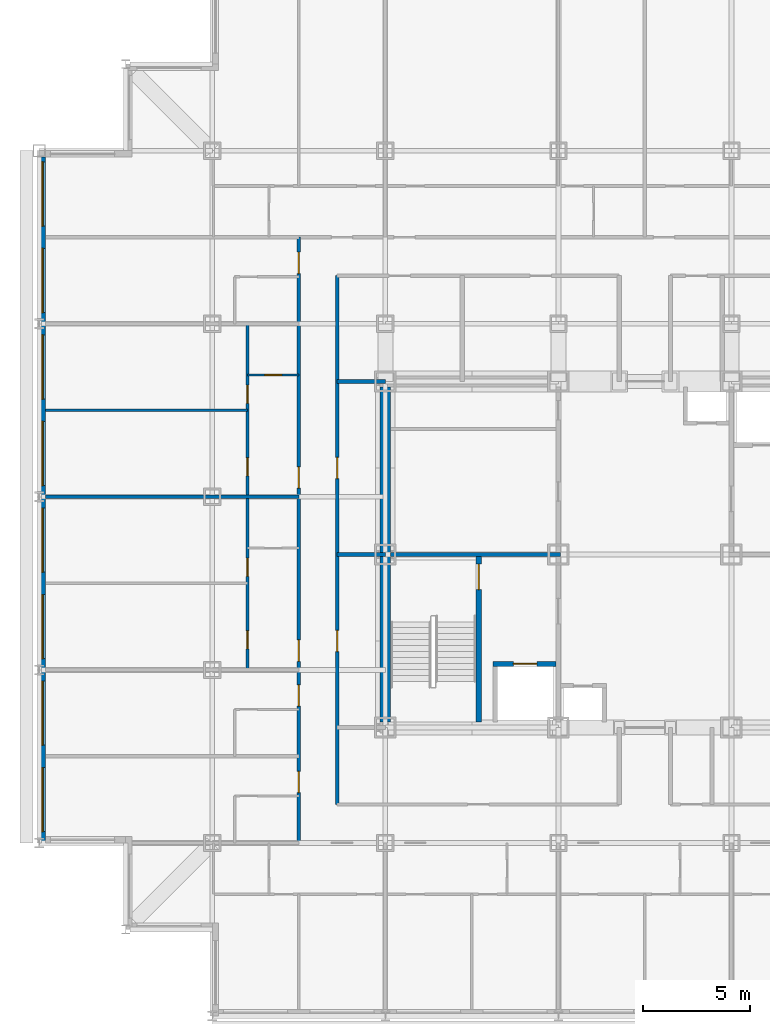
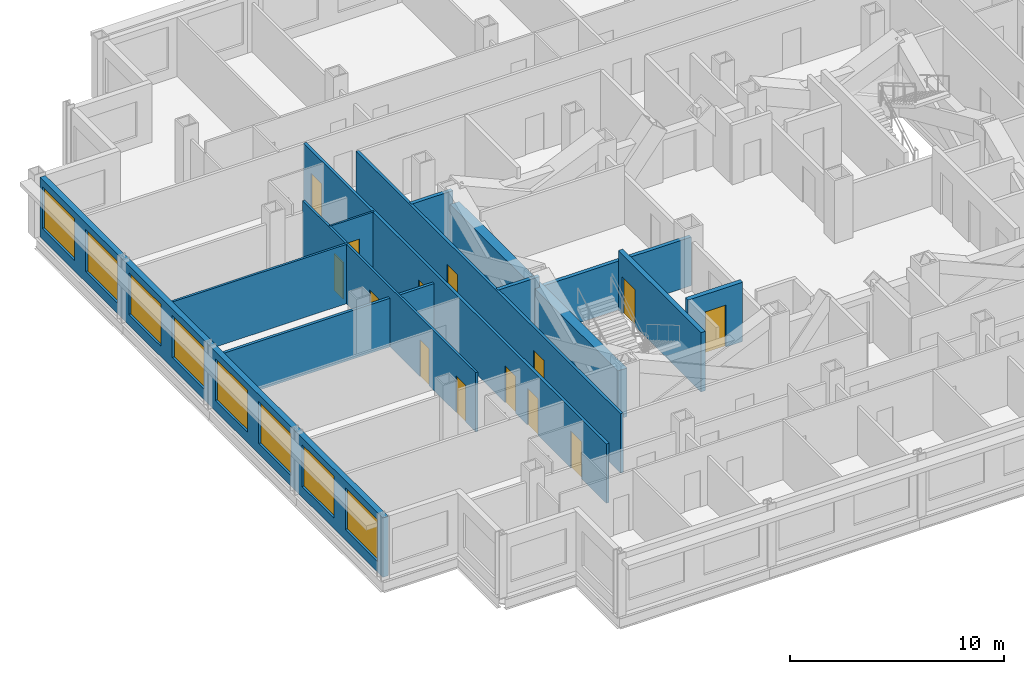
# One storey, part 6 of 12: 14 doors, 13 walls, 8 windows, 22 openings.
"""IFC4 building model written with IfcOpenShell, lengths in metres."""

from ifc_helpers import new_model, si_unit, direction, frame, frame_2d, origin, place, context, subcontext, project, spatial, rectangle, extrude, material, layer, layer_set, type_object, element, fill, save


model = new_model("IFC4")

# Units and contexts
model_context = context("Model", 3, precision=1e-05, world=origin(), true_north=direction((0.0, 1.0)))
body_context = subcontext(model_context, "Body", "Model", "MODEL_VIEW")
ifc_project = project(units=[si_unit("LENGTHUNIT", "METRE"), si_unit("AREAUNIT", "SQUARE_METRE"), si_unit("VOLUMEUNIT", "CUBIC_METRE"), si_unit("PLANEANGLEUNIT", "RADIAN"), si_unit("MASSUNIT", "GRAM", prefix="KILO")], contexts=[model_context])

# Site, building, storey
site_placement = place(None, origin())
site = spatial("IfcSite", under=ifc_project, at=site_placement, CompositionType="ELEMENT")
building_placement = place(site_placement, origin())
building = spatial("IfcBuilding", under=site, at=building_placement, Name="Kopane Lantern Tower", CompositionType="ELEMENT")
storey_placement = place(building_placement, frame((0.0, 0.0, 181.199951171875)))
storey = spatial("IfcBuildingStorey", under=building, at=storey_placement, Name="L46", CompositionType="ELEMENT", Elevation=181.199951171875)

# Wall, openings, doors
ifc_material_1 = material(Name="Gypsum board on steel studs", Category="steel")
ifc_layer_1 = layer(ifc_material_1, 0.1201171875)
ifc_layer_set_1 = layer_set([ifc_layer_1], Name="APARTMENT INTERNAL WALL 120")
wall_type_1 = type_object("IfcWallType", Name="APARTMENT INTERNAL WALL 120", PredefinedType="PARTITIONING", material=ifc_layer_set_1)
wall_1_placement = place(storey_placement, frame((9.75, 27.0, 0.0), z_axis=(0.0, 0.0, 1.0), x_axis=(0.0, 1.0, 0.0)))
wall_1 = element("IfcWall", 1, at=wall_1_placement, inside=storey, type_object=wall_type_1, Name="Apartment Internal Wall 120 L46", PredefinedType="PARTITIONING", context=body_context, shape_type="SweptSolid", body=[
    extrude(rectangle(XDim=16.199951171875, YDim=0.1201171875, at=frame_2d((8.10009765625, 0.0))), origin(), (0.0, 0.0, 1.0), 3.39013671875),
])
opening_1_placement = place(wall_1_placement, frame((0.97509765625, 0.0, 0.0)))
opening_1 = element("IfcOpeningElement", 2, at=opening_1_placement, cuts=wall_1, Name="Opening L46-038", PredefinedType="OPENING", context=body_context, shape_type="SweptSolid", body=[
    extrude(rectangle(XDim=0.85009765625, YDim=2.10009765625, at=frame_2d((0.425048828125, 1.050048828125))), frame((0.0, 0.070068359375, 0.0), z_axis=(0.0, -1.0, 0.0), x_axis=(1.0, 0.0, 0.0)), (0.0, 0.0, 1.0), 0.14013671875),
])
opening_2_placement = place(wall_1_placement, frame((4.375, 0.0, 0.0)))
opening_2 = element("IfcOpeningElement", 3, at=opening_2_placement, cuts=wall_1, Name="Opening L46-039", PredefinedType="OPENING", context=body_context, shape_type="SweptSolid", body=[
    extrude(rectangle(XDim=0.85009765625, YDim=2.10009765625, at=frame_2d((0.425048828125, 1.050048828125))), frame((0.0, 0.070068359375, 0.0), z_axis=(0.0, -1.0, 0.0), x_axis=(1.0, 0.0, 0.0)), (0.0, 0.0, 1.0), 0.14013671875),
])
opening_3_placement = place(wall_1_placement, frame((9.074951171875, 0.0, 0.0)))
opening_3 = element("IfcOpeningElement", 4, at=opening_3_placement, cuts=wall_1, Name="Opening L46-042", PredefinedType="OPENING", context=body_context, shape_type="SweptSolid", body=[
    extrude(rectangle(XDim=0.85009765625, YDim=2.10009765625, at=frame_2d((0.425048828125, 1.050048828125))), frame((0.0, 0.070068359375, 0.0), z_axis=(0.0, -1.0, 0.0), x_axis=(1.0, 0.0, 0.0)), (0.0, 0.0, 1.0), 0.14013671875),
])
opening_4_placement = place(wall_1_placement, frame((12.47509765625, 0.0, 0.0)))
opening_4 = element("IfcOpeningElement", 5, at=opening_4_placement, cuts=wall_1, Name="Opening L46-043", PredefinedType="OPENING", context=body_context, shape_type="SweptSolid", body=[
    extrude(rectangle(XDim=0.85009765625, YDim=2.10009765625, at=frame_2d((0.425048828125, 1.050048828125))), frame((0.0, 0.070068359375, 0.0), z_axis=(0.0, -1.0, 0.0), x_axis=(1.0, 0.0, 0.0)), (0.0, 0.0, 1.0), 0.14013671875),
])
ifc_material_2 = material(Name="Timber door set", Category="wood")
door_type_1 = type_object("IfcDoorType", Name="DOOR D4 850x2100", OperationType="SINGLE_SWING_LEFT", PredefinedType="DOOR", material=ifc_material_2)
door_1_placement = place(opening_1_placement, origin())
door_1 = element("IfcDoor", 6, at=door_1_placement, inside=storey, type_object=door_type_1, Name="Door L46-038", OperationType="SINGLE_SWING_RIGHT", OverallHeight=2.10009765625, OverallWidth=0.85009765625, PredefinedType="DOOR", context=body_context, shape_type="SweptSolid", body=[
    extrude(rectangle(XDim=0.85009765625, YDim=2.10009765625, at=frame_2d((0.425048828125, 1.050048828125))), frame((0.0, 0.02490234375, 0.0), z_axis=(0.0, -1.0, 0.0), x_axis=(1.0, 0.0, 0.0)), (0.0, 0.0, 1.0), 0.050048828125),
])
fill(opening_1, door_1)
door_2_placement = place(opening_2_placement, origin())
door_2 = element("IfcDoor", 7, at=door_2_placement, inside=storey, type_object=door_type_1, Name="Door L46-039", OperationType="SINGLE_SWING_LEFT", OverallHeight=2.10009765625, OverallWidth=0.85009765625, PredefinedType="DOOR", context=body_context, shape_type="SweptSolid", body=[
    extrude(rectangle(XDim=0.85009765625, YDim=2.10009765625, at=frame_2d((0.425048828125, 1.050048828125))), frame((0.0, 0.02490234375, 0.0), z_axis=(0.0, -1.0, 0.0), x_axis=(1.0, 0.0, 0.0)), (0.0, 0.0, 1.0), 0.050048828125),
])
fill(opening_2, door_2)
door_3_placement = place(opening_3_placement, origin())
door_3 = element("IfcDoor", 8, at=door_3_placement, inside=storey, type_object=door_type_1, Name="Door L46-042", OperationType="SINGLE_SWING_RIGHT", OverallHeight=2.10009765625, OverallWidth=0.85009765625, PredefinedType="DOOR", context=body_context, shape_type="SweptSolid", body=[
    extrude(rectangle(XDim=0.85009765625, YDim=2.10009765625, at=frame_2d((0.425048828125, 1.050048828125))), frame((0.0, 0.02490234375, 0.0), z_axis=(0.0, -1.0, 0.0), x_axis=(1.0, 0.0, 0.0)), (0.0, 0.0, 1.0), 0.050048828125),
])
fill(opening_3, door_3)
door_4_placement = place(opening_4_placement, origin())
door_4 = element("IfcDoor", 9, at=door_4_placement, inside=storey, type_object=door_type_1, Name="Door L46-043", OperationType="SINGLE_SWING_LEFT", OverallHeight=2.10009765625, OverallWidth=0.85009765625, PredefinedType="DOOR", context=body_context, shape_type="SweptSolid", body=[
    extrude(rectangle(XDim=0.85009765625, YDim=2.10009765625, at=frame_2d((0.425048828125, 1.050048828125))), frame((0.0, 0.02490234375, 0.0), z_axis=(0.0, -1.0, 0.0), x_axis=(1.0, 0.0, 0.0)), (0.0, 0.0, 1.0), 0.050048828125),
])
fill(opening_4, door_4)

# Wall
wall_2_placement = place(storey_placement, frame((9.75, 39.14990234375, 0.0), z_axis=(0.0, 0.0, 1.0), x_axis=(-1.0, 0.0, 0.0)))
element("IfcWall", 10, at=wall_2_placement, inside=storey, type_object=wall_type_1, Name="Apartment Internal Wall 120 L46", PredefinedType="PARTITIONING", context=body_context, shape_type="SweptSolid", body=[
    extrude(rectangle(XDim=9.449951171875, YDim=0.1201171875, at=frame_2d((4.72509765625, 0.0))), origin(), (0.0, 0.0, 1.0), 3.39013671875),
])

# Wall, opening, door
ifc_material_3 = material(Name="Moisture-resistant board on steel studs", Category="steel")
ifc_layer_2 = layer(ifc_material_3, 0.10009765625)
ifc_layer_set_2 = layer_set([ifc_layer_2], Name="BATHROOM WALL 100")
wall_type_2 = type_object("IfcWallType", Name="BATHROOM WALL 100", PredefinedType="PARTITIONING", material=ifc_layer_set_2)
wall_3_placement = place(storey_placement, frame((12.14990234375, 40.800048828125, 0.0), z_axis=(0.0, 0.0, 1.0), x_axis=(-1.0, 0.0, 0.0)))
wall_3 = element("IfcWall", 11, at=wall_3_placement, inside=storey, type_object=wall_type_2, Name="Bathroom Wall 100 L46", PredefinedType="PARTITIONING", context=body_context, shape_type="SweptSolid", body=[
    extrude(rectangle(XDim=2.39990234375, YDim=0.10009765625, at=frame_2d((1.199951171875, 0.0))), origin(), (0.0, 0.0, 1.0), 3.39013671875),
])
opening_5_placement = place(wall_3_placement, frame((0.800048828125, 0.0, 0.0)))
opening_5 = element("IfcOpeningElement", 12, at=opening_5_placement, cuts=wall_3, Name="Opening L46-040", PredefinedType="OPENING", context=body_context, shape_type="SweptSolid", body=[
    extrude(rectangle(XDim=0.800048828125, YDim=2.10009765625, at=frame_2d((0.39990234375, 1.050048828125))), frame((0.0, 0.06005859375, 0.0), z_axis=(0.0, -1.0, 0.0), x_axis=(1.0, 0.0, 0.0)), (0.0, 0.0, 1.0), 0.1201171875),
])
ifc_material_4 = material(Name="Timber door set", Category="wood")
door_type_2 = type_object("IfcDoorType", Name="DOOR D2 800x2100", OperationType="SINGLE_SWING_LEFT", PredefinedType="DOOR", material=ifc_material_4)
door_5_placement = place(opening_5_placement, origin())
door_5 = element("IfcDoor", 13, at=door_5_placement, inside=storey, type_object=door_type_2, Name="Door L46-040", OperationType="SINGLE_SWING_RIGHT", OverallHeight=2.10009765625, OverallWidth=0.800048828125, PredefinedType="DOOR", context=body_context, shape_type="SweptSolid", body=[
    extrude(rectangle(XDim=0.800048828125, YDim=2.10009765625, at=frame_2d((0.39990234375, 1.050048828125))), frame((0.0, 0.02490234375, 0.0), z_axis=(0.0, -1.0, 0.0), x_axis=(1.0, 0.0, 0.0)), (0.0, 0.0, 1.0), 0.050048828125),
])
fill(opening_5, door_5)

# Wall
ifc_material_5 = material(Name="Gypsum shaft wall EI 120", Category="gypsum")
ifc_layer_3 = layer(ifc_material_5, 0.5)
ifc_layer_set_3 = layer_set([ifc_layer_3], Name="CORE PERIMETER WALL 500 EI 120")
wall_type_3 = type_object("IfcWallType", Name="CORE PERIMETER WALL 500 EI 120", PredefinedType="SOLIDWALL", material=ifc_layer_set_3)
wall_4_placement = place(storey_placement, frame((16.199951171875, 24.550048828125, 0.0), z_axis=(0.0, 0.0, 1.0), x_axis=(0.0, 1.0, 0.0)))
element("IfcWall", 14, at=wall_4_placement, inside=storey, type_object=wall_type_3, Name="Core shaft wall L46 PW", PredefinedType="SOLIDWALL", context=body_context, shape_type="SweptSolid", body=[
    extrude(rectangle(XDim=15.699951171875, YDim=0.5, at=frame_2d((7.85009765625, 0.0))), origin(), (0.0, 0.0, 1.0), 2.77783203125),
])

# Wall, opening, door
ifc_material_6 = material(Name="Gypsum shaft wall EI 120", Category="gypsum")
ifc_layer_4 = layer(ifc_material_6, 0.25)
ifc_layer_set_4 = layer_set([ifc_layer_4], Name="CORE SHAFT WALL 250 EI 120")
wall_type_4 = type_object("IfcWallType", Name="CORE SHAFT WALL 250 EI 120", PredefinedType="SOLIDWALL", material=ifc_layer_set_4)
wall_5_placement = place(storey_placement, frame((20.574951171875, 24.550048828125, 0.0), z_axis=(0.0, 0.0, 1.0), x_axis=(0.0, 1.0, 0.0)))
wall_5 = element("IfcWall", 15, at=wall_5_placement, inside=storey, type_object=wall_type_4, Name="Core shaft wall L46 XST1", PredefinedType="SOLIDWALL", context=body_context, shape_type="SweptSolid", body=[
    extrude(rectangle(XDim=7.75, YDim=0.25, at=frame_2d((3.875, 0.0))), origin(), (0.0, 0.0, 1.0), 3.39013671875),
])
opening_6_placement = place(wall_5_placement, frame((6.199951171875, 0.0, 0.0)))
opening_6 = element("IfcOpeningElement", 16, at=opening_6_placement, cuts=wall_5, Name="Opening 46.SD1", PredefinedType="OPENING", context=body_context, shape_type="SweptSolid", body=[
    extrude(rectangle(XDim=1.199951171875, YDim=2.10009765625, at=frame_2d((0.60009765625, 1.050048828125))), frame((0.0, 0.135009765625, 0.0), z_axis=(0.0, -1.0, 0.0), x_axis=(1.0, 0.0, 0.0)), (0.0, 0.0, 1.0), 0.27001953125),
])
ifc_material_7 = material(Name="Steel door set", Category="steel")
door_type_3 = type_object("IfcDoorType", Name="STAIR DOOR 1200x2100 FD60S", OperationType="SINGLE_SWING_LEFT", PredefinedType="DOOR", material=ifc_material_7)
door_6_placement = place(opening_6_placement, origin())
door_6 = element("IfcDoor", 17, at=door_6_placement, inside=storey, type_object=door_type_3, Name="Stair door ST1 L46", OperationType="SINGLE_SWING_LEFT", OverallHeight=2.10009765625, OverallWidth=1.199951171875, PredefinedType="DOOR", context=body_context, shape_type="SweptSolid", body=[
    extrude(rectangle(XDim=1.199951171875, YDim=2.10009765625, at=frame_2d((0.60009765625, 1.050048828125))), frame((0.0, 0.02490234375, 0.0), z_axis=(0.0, -1.0, 0.0), x_axis=(1.0, 0.0, 0.0)), (0.0, 0.0, 1.0), 0.050048828125),
])
fill(opening_6, door_6)

wall_6_placement = place(storey_placement, frame((21.25, 27.27490234375, 0.0), z_axis=(0.0, 0.0, 1.0), x_axis=(1.0, 0.0, 0.0)))
wall_6 = element("IfcWall", 18, at=wall_6_placement, inside=storey, type_object=wall_type_4, Name="Core shaft wall L46 YLF1", PredefinedType="SOLIDWALL", context=body_context, shape_type="SweptSolid", body=[
    extrude(rectangle(XDim=2.949951171875, YDim=0.25, at=frame_2d((1.47509765625, 0.0))), origin(), (0.0, 0.0, 1.0), 3.39013671875),
])
opening_7_placement = place(wall_6_placement, frame((0.949951171875, 0.0, 0.0)))
opening_7 = element("IfcOpeningElement", 19, at=opening_7_placement, cuts=wall_6, Name="Opening 46.LD-LF1", PredefinedType="OPENING", context=body_context, shape_type="SweptSolid", body=[
    extrude(rectangle(XDim=1.10009765625, YDim=2.39990234375, at=frame_2d((0.550048828125, 1.199951171875))), frame((0.0, 0.135009765625, 0.0), z_axis=(0.0, -1.0, 0.0), x_axis=(1.0, 0.0, 0.0)), (0.0, 0.0, 1.0), 0.27001953125),
])
ifc_material_8 = material(Name="Steel door set", Category="steel")
door_type_4 = type_object("IfcDoorType", Name="LIFT LANDING DOOR 1100x2400 FD60", OperationType="DOUBLE_DOOR_SLIDING", PredefinedType="DOOR", material=ifc_material_8)
door_7_placement = place(opening_7_placement, origin())
door_7 = element("IfcDoor", 20, at=door_7_placement, inside=storey, type_object=door_type_4, Name="Landing door LF1 L46", OperationType="DOUBLE_DOOR_SLIDING", OverallHeight=2.39990234375, OverallWidth=1.10009765625, PredefinedType="DOOR", context=body_context, shape_type="SweptSolid", body=[
    extrude(rectangle(XDim=1.10009765625, YDim=2.39990234375, at=frame_2d((0.550048828125, 1.199951171875))), frame((0.0, 0.02490234375, 0.0), z_axis=(0.0, -1.0, 0.0), x_axis=(1.0, 0.0, 0.0)), (0.0, 0.0, 1.0), 0.050048828125),
])
fill(opening_7, door_7)

# Wall, openings, doors
ifc_material_9 = material(Name="Gypsum board on steel studs", Category="steel")
ifc_layer_5 = layer(ifc_material_9, 0.14990234375)
ifc_layer_set_5 = layer_set([ifc_layer_5], Name="CORRIDOR WALL 150 EI 60")
wall_type_5 = type_object("IfcWallType", Name="CORRIDOR WALL 150 EI 60", PredefinedType="PARTITIONING", material=ifc_layer_set_5)
wall_7_placement = place(storey_placement, frame((12.14990234375, 18.89990234375, 0.0), z_axis=(0.0, 0.0, 1.0), x_axis=(0.0, 1.0, 0.0)))
wall_7 = element("IfcWall", 21, at=wall_7_placement, inside=storey, type_object=wall_type_5, Name="Corridor Wall 150 Ei 60 L46", PredefinedType="PARTITIONING", context=body_context, shape_type="SweptSolid", body=[
    extrude(rectangle(XDim=28.35009765625, YDim=0.14990234375, at=frame_2d((14.175048828125, 0.0))), origin(), (0.0, 0.0, 1.0), 3.39013671875),
])
opening_8_placement = place(wall_7_placement, frame((2.35009765625, 0.0, 0.0)))
opening_8 = element("IfcOpeningElement", 22, at=opening_8_placement, cuts=wall_7, Name="Opening L46-033", PredefinedType="OPENING", context=body_context, shape_type="SweptSolid", body=[
    extrude(rectangle(XDim=1.0, YDim=2.10009765625, at=frame_2d((0.5, 1.050048828125))), frame((0.0, 0.0849609375, 0.0), z_axis=(0.0, -1.0, 0.0), x_axis=(1.0, 0.0, 0.0)), (0.0, 0.0, 1.0), 0.169921875),
])
opening_9_placement = place(wall_7_placement, frame((6.39990234375, 0.0, 0.0)))
opening_9 = element("IfcOpeningElement", 23, at=opening_9_placement, cuts=wall_7, Name="Opening L46-035", PredefinedType="OPENING", context=body_context, shape_type="SweptSolid", body=[
    extrude(rectangle(XDim=1.0, YDim=2.10009765625, at=frame_2d((0.5, 1.050048828125))), frame((0.0, 0.0849609375, 0.0), z_axis=(0.0, -1.0, 0.0), x_axis=(1.0, 0.0, 0.0)), (0.0, 0.0, 1.0), 0.169921875),
])
opening_10_placement = place(wall_7_placement, frame((8.5, 0.0, 0.0)))
opening_10 = element("IfcOpeningElement", 24, at=opening_10_placement, cuts=wall_7, Name="Opening L46-037", PredefinedType="OPENING", context=body_context, shape_type="SweptSolid", body=[
    extrude(rectangle(XDim=1.0, YDim=2.10009765625, at=frame_2d((0.5, 1.050048828125))), frame((0.0, 0.0849609375, 0.0), z_axis=(0.0, -1.0, 0.0), x_axis=(1.0, 0.0, 0.0)), (0.0, 0.0, 1.0), 0.169921875),
])
opening_11_placement = place(wall_7_placement, frame((16.60009765625, 0.0, 0.0)))
opening_11 = element("IfcOpeningElement", 25, at=opening_11_placement, cuts=wall_7, Name="Opening L46-041", PredefinedType="OPENING", context=body_context, shape_type="SweptSolid", body=[
    extrude(rectangle(XDim=1.0, YDim=2.10009765625, at=frame_2d((0.5, 1.050048828125))), frame((0.0, 0.0849609375, 0.0), z_axis=(0.0, -1.0, 0.0), x_axis=(1.0, 0.0, 0.0)), (0.0, 0.0, 1.0), 0.169921875),
])
opening_12_placement = place(wall_7_placement, frame((26.64990234375, 0.0, 0.0)))
opening_12 = element("IfcOpeningElement", 26, at=opening_12_placement, cuts=wall_7, Name="Opening L46-045", PredefinedType="OPENING", context=body_context, shape_type="SweptSolid", body=[
    extrude(rectangle(XDim=1.0, YDim=2.10009765625, at=frame_2d((0.5, 1.050048828125))), frame((0.0, 0.0849609375, 0.0), z_axis=(0.0, -1.0, 0.0), x_axis=(1.0, 0.0, 0.0)), (0.0, 0.0, 1.0), 0.169921875),
])
ifc_material_10 = material(Name="Steel door set", Category="steel")
door_type_5 = type_object("IfcDoorType", Name="DOOR D3 1000x2100 FD30S", OperationType="SINGLE_SWING_LEFT", PredefinedType="DOOR", material=ifc_material_10)
door_8_placement = place(opening_8_placement, origin())
door_8 = element("IfcDoor", 27, at=door_8_placement, inside=storey, type_object=door_type_5, Name="Door L46-033", OperationType="SINGLE_SWING_LEFT", OverallHeight=2.10009765625, OverallWidth=1.0, PredefinedType="DOOR", context=body_context, shape_type="SweptSolid", body=[
    extrude(rectangle(XDim=1.0, YDim=2.10009765625, at=frame_2d((0.5, 1.050048828125))), frame((0.0, 0.02490234375, 0.0), z_axis=(0.0, -1.0, 0.0), x_axis=(1.0, 0.0, 0.0)), (0.0, 0.0, 1.0), 0.050048828125),
])
fill(opening_8, door_8)
door_9_placement = place(opening_9_placement, origin())
door_9 = element("IfcDoor", 28, at=door_9_placement, inside=storey, type_object=door_type_5, Name="Door L46-035", OperationType="SINGLE_SWING_LEFT", OverallHeight=2.10009765625, OverallWidth=1.0, PredefinedType="DOOR", context=body_context, shape_type="SweptSolid", body=[
    extrude(rectangle(XDim=1.0, YDim=2.10009765625, at=frame_2d((0.5, 1.050048828125))), frame((0.0, 0.02490234375, 0.0), z_axis=(0.0, -1.0, 0.0), x_axis=(1.0, 0.0, 0.0)), (0.0, 0.0, 1.0), 0.050048828125),
])
fill(opening_9, door_9)
door_10_placement = place(opening_10_placement, origin())
door_10 = element("IfcDoor", 29, at=door_10_placement, inside=storey, type_object=door_type_5, Name="Door L46-037", OperationType="SINGLE_SWING_LEFT", OverallHeight=2.10009765625, OverallWidth=1.0, PredefinedType="DOOR", context=body_context, shape_type="SweptSolid", body=[
    extrude(rectangle(XDim=1.0, YDim=2.10009765625, at=frame_2d((0.5, 1.050048828125))), frame((0.0, 0.02490234375, 0.0), z_axis=(0.0, -1.0, 0.0), x_axis=(1.0, 0.0, 0.0)), (0.0, 0.0, 1.0), 0.050048828125),
])
fill(opening_10, door_10)
door_11_placement = place(opening_11_placement, origin())
door_11 = element("IfcDoor", 30, at=door_11_placement, inside=storey, type_object=door_type_5, Name="Door L46-041", OperationType="SINGLE_SWING_LEFT", OverallHeight=2.10009765625, OverallWidth=1.0, PredefinedType="DOOR", context=body_context, shape_type="SweptSolid", body=[
    extrude(rectangle(XDim=1.0, YDim=2.10009765625, at=frame_2d((0.5, 1.050048828125))), frame((0.0, 0.02490234375, 0.0), z_axis=(0.0, -1.0, 0.0), x_axis=(1.0, 0.0, 0.0)), (0.0, 0.0, 1.0), 0.050048828125),
])
fill(opening_11, door_11)
door_12_placement = place(opening_12_placement, origin())
door_12 = element("IfcDoor", 31, at=door_12_placement, inside=storey, type_object=door_type_5, Name="Door L46-045", OperationType="SINGLE_SWING_LEFT", OverallHeight=2.10009765625, OverallWidth=1.0, PredefinedType="DOOR", context=body_context, shape_type="SweptSolid", body=[
    extrude(rectangle(XDim=1.0, YDim=2.10009765625, at=frame_2d((0.5, 1.050048828125))), frame((0.0, 0.02490234375, 0.0), z_axis=(0.0, -1.0, 0.0), x_axis=(1.0, 0.0, 0.0)), (0.0, 0.0, 1.0), 0.050048828125),
])
fill(opening_12, door_12)

wall_8_placement = place(storey_placement, frame((13.949951171875, 45.449951171875, 0.0), z_axis=(0.0, 0.0, 1.0), x_axis=(0.0, -1.0, 0.0)))
wall_8 = element("IfcWall", 32, at=wall_8_placement, inside=storey, type_object=wall_type_5, Name="Corridor Wall 150 Ei 60 L46", PredefinedType="PARTITIONING", context=body_context, shape_type="SweptSolid", body=[
    extrude(rectangle(XDim=24.75, YDim=0.14990234375, at=frame_2d((12.375, 0.0))), origin(), (0.0, 0.0, 1.0), 3.39013671875),
])
opening_13_placement = place(wall_8_placement, frame((16.60009765625, 0.0, 0.0)))
opening_13 = element("IfcOpeningElement", 33, at=opening_13_placement, cuts=wall_8, Name="Opening L46-001", PredefinedType="OPENING", context=body_context, shape_type="SweptSolid", body=[
    extrude(rectangle(XDim=1.0, YDim=2.10009765625, at=frame_2d((0.5, 1.050048828125))), frame((0.0, 0.0849609375, 0.0), z_axis=(0.0, -1.0, 0.0), x_axis=(1.0, 0.0, 0.0)), (0.0, 0.0, 1.0), 0.169921875),
])
opening_14_placement = place(wall_8_placement, frame((8.5, 0.0, 0.0)))
opening_14 = element("IfcOpeningElement", 34, at=opening_14_placement, cuts=wall_8, Name="Opening L46-002", PredefinedType="OPENING", context=body_context, shape_type="SweptSolid", body=[
    extrude(rectangle(XDim=1.0, YDim=2.10009765625, at=frame_2d((0.5, 1.050048828125))), frame((0.0, 0.0849609375, 0.0), z_axis=(0.0, -1.0, 0.0), x_axis=(1.0, 0.0, 0.0)), (0.0, 0.0, 1.0), 0.169921875),
])
ifc_material_11 = material(Name="Steel door set", Category="steel")
door_type_6 = type_object("IfcDoorType", Name="DOOR D5 1000x2100 FD60", OperationType="SINGLE_SWING_LEFT", PredefinedType="DOOR", material=ifc_material_11)
door_13_placement = place(opening_13_placement, origin())
door_13 = element("IfcDoor", 35, at=door_13_placement, inside=storey, type_object=door_type_6, Name="Door L46-001", OperationType="SINGLE_SWING_RIGHT", OverallHeight=2.10009765625, OverallWidth=1.0, PredefinedType="DOOR", context=body_context, shape_type="SweptSolid", body=[
    extrude(rectangle(XDim=1.0, YDim=2.10009765625, at=frame_2d((0.5, 1.050048828125))), frame((0.0, 0.02490234375, 0.0), z_axis=(0.0, -1.0, 0.0), x_axis=(1.0, 0.0, 0.0)), (0.0, 0.0, 1.0), 0.050048828125),
])
fill(opening_13, door_13)
door_14_placement = place(opening_14_placement, origin())
door_14 = element("IfcDoor", 36, at=door_14_placement, inside=storey, type_object=door_type_6, Name="Door L46-002", OperationType="SINGLE_SWING_LEFT", OverallHeight=2.10009765625, OverallWidth=1.0, PredefinedType="DOOR", context=body_context, shape_type="SweptSolid", body=[
    extrude(rectangle(XDim=1.0, YDim=2.10009765625, at=frame_2d((0.5, 1.050048828125))), frame((0.0, 0.02490234375, 0.0), z_axis=(0.0, -1.0, 0.0), x_axis=(1.0, 0.0, 0.0)), (0.0, 0.0, 1.0), 0.050048828125),
])
fill(opening_14, door_14)

# Wall
ifc_material_12 = material(Name="Gypsum board on steel studs", Category="steel")
ifc_layer_6 = layer(ifc_material_12, 0.14990234375)
ifc_layer_set_6 = layer_set([ifc_layer_6], Name="DEMISING WALL 150 EI 60")
wall_type_6 = type_object("IfcWallType", Name="DEMISING WALL 150 EI 60", PredefinedType="PARTITIONING", material=ifc_layer_set_6)
wall_9_placement = place(storey_placement, frame((12.14990234375, 35.10009765625, 0.0), z_axis=(0.0, 0.0, 1.0), x_axis=(-1.0, 0.0, 0.0)))
element("IfcWall", 37, at=wall_9_placement, inside=storey, type_object=wall_type_6, Name="Demising Wall 150 Ei 60 L46", PredefinedType="PARTITIONING", context=body_context, shape_type="SweptSolid", body=[
    extrude(rectangle(XDim=11.849853515625, YDim=0.14990234375, at=frame_2d((5.9248046875, 0.0))), origin(), (0.0, 0.0, 1.0), 2.77783203125),
])

# Wall, openings, windows
ifc_material_13 = material(Name="Terracotta rainscreen on light steel framing", Category="masonry")
ifc_layer_7 = layer(ifc_material_13, 0.300048828125)
ifc_layer_set_7 = layer_set([ifc_layer_7], Name="EXTERNAL WALL EW1 300 TERRACOTTA")
wall_type_7 = type_object("IfcWallType", Name="EXTERNAL WALL EW1 300 TERRACOTTA", PredefinedType="SOLIDWALL", material=ifc_layer_set_7)
wall_10_placement = place(storey_placement, frame((0.14990234375, 51.0, 0.0), z_axis=(0.0, 0.0, 1.0), x_axis=(0.0, -1.0, 0.0)))
wall_10 = element("IfcWall", 38, at=wall_10_placement, inside=storey, type_object=wall_type_7, Name="External wall W L46", PredefinedType="SOLIDWALL", context=body_context, shape_type="SweptSolid", body=[
    extrude(rectangle(XDim=32.10009765625, YDim=0.300048828125, at=frame_2d((16.050048828125, 0.0))), origin(), (0.0, 0.0, 1.0), 3.39013671875),
])
opening_15_placement = place(wall_10_placement, frame((0.22509765625, 0.0, 0.60009765625)))
opening_15 = element("IfcOpeningElement", 39, at=opening_15_placement, cuts=wall_10, Name="Opening WR300240", PredefinedType="OPENING", context=body_context, shape_type="SweptSolid", body=[
    extrude(rectangle(XDim=3.0, YDim=2.39990234375, at=frame_2d((1.5, 1.199951171875))), frame((0.0, 0.159912109375, 0.0), z_axis=(0.0, -1.0, 0.0), x_axis=(1.0, 0.0, 0.0)), (0.0, 0.0, 1.0), 0.320068359375),
])
opening_16_placement = place(wall_10_placement, frame((4.27490234375, 0.0, 0.60009765625)))
opening_16 = element("IfcOpeningElement", 40, at=opening_16_placement, cuts=wall_10, Name="Opening WR300240", PredefinedType="OPENING", context=body_context, shape_type="SweptSolid", body=[
    extrude(rectangle(XDim=3.0, YDim=2.39990234375, at=frame_2d((1.5, 1.199951171875))), frame((0.0, 0.159912109375, 0.0), z_axis=(0.0, -1.0, 0.0), x_axis=(1.0, 0.0, 0.0)), (0.0, 0.0, 1.0), 0.320068359375),
])
opening_17_placement = place(wall_10_placement, frame((8.324951171875, 0.0, 0.60009765625)))
opening_17 = element("IfcOpeningElement", 41, at=opening_17_placement, cuts=wall_10, Name="Opening WR300240", PredefinedType="OPENING", context=body_context, shape_type="SweptSolid", body=[
    extrude(rectangle(XDim=3.0, YDim=2.39990234375, at=frame_2d((1.5, 1.199951171875))), frame((0.0, 0.159912109375, 0.0), z_axis=(0.0, -1.0, 0.0), x_axis=(1.0, 0.0, 0.0)), (0.0, 0.0, 1.0), 0.320068359375),
])
opening_18_placement = place(wall_10_placement, frame((12.375, 0.0, 0.60009765625)))
opening_18 = element("IfcOpeningElement", 42, at=opening_18_placement, cuts=wall_10, Name="Opening WR300240", PredefinedType="OPENING", context=body_context, shape_type="SweptSolid", body=[
    extrude(rectangle(XDim=3.0, YDim=2.39990234375, at=frame_2d((1.5, 1.199951171875))), frame((0.0, 0.159912109375, 0.0), z_axis=(0.0, -1.0, 0.0), x_axis=(1.0, 0.0, 0.0)), (0.0, 0.0, 1.0), 0.320068359375),
])
opening_19_placement = place(wall_10_placement, frame((16.425048828125, 0.0, 0.60009765625)))
opening_19 = element("IfcOpeningElement", 43, at=opening_19_placement, cuts=wall_10, Name="Opening WR300240", PredefinedType="OPENING", context=body_context, shape_type="SweptSolid", body=[
    extrude(rectangle(XDim=3.0, YDim=2.39990234375, at=frame_2d((1.5, 1.199951171875))), frame((0.0, 0.159912109375, 0.0), z_axis=(0.0, -1.0, 0.0), x_axis=(1.0, 0.0, 0.0)), (0.0, 0.0, 1.0), 0.320068359375),
])
opening_20_placement = place(wall_10_placement, frame((20.47509765625, 0.0, 0.60009765625)))
opening_20 = element("IfcOpeningElement", 44, at=opening_20_placement, cuts=wall_10, Name="Opening WR300240", PredefinedType="OPENING", context=body_context, shape_type="SweptSolid", body=[
    extrude(rectangle(XDim=3.0, YDim=2.39990234375, at=frame_2d((1.5, 1.199951171875))), frame((0.0, 0.159912109375, 0.0), z_axis=(0.0, -1.0, 0.0), x_axis=(1.0, 0.0, 0.0)), (0.0, 0.0, 1.0), 0.320068359375),
])
opening_21_placement = place(wall_10_placement, frame((24.52490234375, 0.0, 0.60009765625)))
opening_21 = element("IfcOpeningElement", 45, at=opening_21_placement, cuts=wall_10, Name="Opening WR300240", PredefinedType="OPENING", context=body_context, shape_type="SweptSolid", body=[
    extrude(rectangle(XDim=3.0, YDim=2.39990234375, at=frame_2d((1.5, 1.199951171875))), frame((0.0, 0.159912109375, 0.0), z_axis=(0.0, -1.0, 0.0), x_axis=(1.0, 0.0, 0.0)), (0.0, 0.0, 1.0), 0.320068359375),
])
opening_22_placement = place(wall_10_placement, frame((28.574951171875, 0.0, 0.60009765625)))
opening_22 = element("IfcOpeningElement", 46, at=opening_22_placement, cuts=wall_10, Name="Opening WR300240", PredefinedType="OPENING", context=body_context, shape_type="SweptSolid", body=[
    extrude(rectangle(XDim=3.0, YDim=2.39990234375, at=frame_2d((1.5, 1.199951171875))), frame((0.0, 0.159912109375, 0.0), z_axis=(0.0, -1.0, 0.0), x_axis=(1.0, 0.0, 0.0)), (0.0, 0.0, 1.0), 0.320068359375),
])
ifc_material_14 = material(Name="Aluminium and clear glass", Category="aluminium")
window_type = type_object("IfcWindowType", Name="RIBBON WINDOW WR300240 3000x2400", PartitioningType="SINGLE_PANEL", PredefinedType="WINDOW", material=ifc_material_14)
window_1_placement = place(opening_15_placement, origin())
window_1 = element("IfcWindow", 47, at=window_1_placement, inside=storey, type_object=window_type, Name="Window W L46", OverallHeight=2.39990234375, OverallWidth=3.0, PartitioningType="SINGLE_PANEL", PredefinedType="WINDOW", context=body_context, shape_type="SweptSolid", body=[
    extrude(rectangle(XDim=3.0, YDim=2.39990234375, at=frame_2d((1.5, 1.199951171875))), frame((0.0, 0.030029296875, 0.0), z_axis=(0.0, -1.0, 0.0), x_axis=(1.0, 0.0, 0.0)), (0.0, 0.0, 1.0), 0.06005859375),
])
fill(opening_15, window_1)
window_2_placement = place(opening_16_placement, origin())
window_2 = element("IfcWindow", 48, at=window_2_placement, inside=storey, type_object=window_type, Name="Window W L46", OverallHeight=2.39990234375, OverallWidth=3.0, PartitioningType="SINGLE_PANEL", PredefinedType="WINDOW", context=body_context, shape_type="SweptSolid", body=[
    extrude(rectangle(XDim=3.0, YDim=2.39990234375, at=frame_2d((1.5, 1.199951171875))), frame((0.0, 0.030029296875, 0.0), z_axis=(0.0, -1.0, 0.0), x_axis=(1.0, 0.0, 0.0)), (0.0, 0.0, 1.0), 0.06005859375),
])
fill(opening_16, window_2)
window_3_placement = place(opening_17_placement, origin())
window_3 = element("IfcWindow", 49, at=window_3_placement, inside=storey, type_object=window_type, Name="Window W L46", OverallHeight=2.39990234375, OverallWidth=3.0, PartitioningType="SINGLE_PANEL", PredefinedType="WINDOW", context=body_context, shape_type="SweptSolid", body=[
    extrude(rectangle(XDim=3.0, YDim=2.39990234375, at=frame_2d((1.5, 1.199951171875))), frame((0.0, 0.030029296875, 0.0), z_axis=(0.0, -1.0, 0.0), x_axis=(1.0, 0.0, 0.0)), (0.0, 0.0, 1.0), 0.06005859375),
])
fill(opening_17, window_3)
window_4_placement = place(opening_18_placement, origin())
window_4 = element("IfcWindow", 50, at=window_4_placement, inside=storey, type_object=window_type, Name="Window W L46", OverallHeight=2.39990234375, OverallWidth=3.0, PartitioningType="SINGLE_PANEL", PredefinedType="WINDOW", context=body_context, shape_type="SweptSolid", body=[
    extrude(rectangle(XDim=3.0, YDim=2.39990234375, at=frame_2d((1.5, 1.199951171875))), frame((0.0, 0.030029296875, 0.0), z_axis=(0.0, -1.0, 0.0), x_axis=(1.0, 0.0, 0.0)), (0.0, 0.0, 1.0), 0.06005859375),
])
fill(opening_18, window_4)
window_5_placement = place(opening_19_placement, origin())
window_5 = element("IfcWindow", 51, at=window_5_placement, inside=storey, type_object=window_type, Name="Window W L46", OverallHeight=2.39990234375, OverallWidth=3.0, PartitioningType="SINGLE_PANEL", PredefinedType="WINDOW", context=body_context, shape_type="SweptSolid", body=[
    extrude(rectangle(XDim=3.0, YDim=2.39990234375, at=frame_2d((1.5, 1.199951171875))), frame((0.0, 0.030029296875, 0.0), z_axis=(0.0, -1.0, 0.0), x_axis=(1.0, 0.0, 0.0)), (0.0, 0.0, 1.0), 0.06005859375),
])
fill(opening_19, window_5)
window_6_placement = place(opening_20_placement, origin())
window_6 = element("IfcWindow", 52, at=window_6_placement, inside=storey, type_object=window_type, Name="Window W L46", OverallHeight=2.39990234375, OverallWidth=3.0, PartitioningType="SINGLE_PANEL", PredefinedType="WINDOW", context=body_context, shape_type="SweptSolid", body=[
    extrude(rectangle(XDim=3.0, YDim=2.39990234375, at=frame_2d((1.5, 1.199951171875))), frame((0.0, 0.030029296875, 0.0), z_axis=(0.0, -1.0, 0.0), x_axis=(1.0, 0.0, 0.0)), (0.0, 0.0, 1.0), 0.06005859375),
])
fill(opening_20, window_6)
window_7_placement = place(opening_21_placement, origin())
window_7 = element("IfcWindow", 53, at=window_7_placement, inside=storey, type_object=window_type, Name="Window W L46", OverallHeight=2.39990234375, OverallWidth=3.0, PartitioningType="SINGLE_PANEL", PredefinedType="WINDOW", context=body_context, shape_type="SweptSolid", body=[
    extrude(rectangle(XDim=3.0, YDim=2.39990234375, at=frame_2d((1.5, 1.199951171875))), frame((0.0, 0.030029296875, 0.0), z_axis=(0.0, -1.0, 0.0), x_axis=(1.0, 0.0, 0.0)), (0.0, 0.0, 1.0), 0.06005859375),
])
fill(opening_21, window_7)
window_8_placement = place(opening_22_placement, origin())
window_8 = element("IfcWindow", 54, at=window_8_placement, inside=storey, type_object=window_type, Name="Window W L46", OverallHeight=2.39990234375, OverallWidth=3.0, PartitioningType="SINGLE_PANEL", PredefinedType="WINDOW", context=body_context, shape_type="SweptSolid", body=[
    extrude(rectangle(XDim=3.0, YDim=2.39990234375, at=frame_2d((1.5, 1.199951171875))), frame((0.0, 0.030029296875, 0.0), z_axis=(0.0, -1.0, 0.0), x_axis=(1.0, 0.0, 0.0)), (0.0, 0.0, 1.0), 0.06005859375),
])
fill(opening_22, window_8)

# Walls
ifc_material_15 = material(Name="Concrete masonry", Category="masonry")
ifc_layer_8 = layer(ifc_material_15, 0.199951171875)
ifc_layer_set_8 = layer_set([ifc_layer_8], Name="PLANT ROOM WALL 200 EI 120")
wall_type_8 = type_object("IfcWallType", Name="PLANT ROOM WALL 200 EI 120", PredefinedType="SOLIDWALL", material=ifc_layer_set_8)
for number, where, z_axis, x_axis, name in (
    (55, (13.949951171875, 32.39990234375, 0.0), (0.0, 0.0, 1.0), (1.0, 0.0, 0.0), "Plant Room Wall 200 Ei 120 L46"),
    (56, (13.949951171875, 40.5, 0.0), (0.0, 0.0, 1.0), (1.0, 0.0, 0.0), "Plant Room Wall 200 Ei 120 L46"),
):
    element("IfcWall", number, at=place(storey_placement, frame(where, z_axis=z_axis, x_axis=x_axis)), inside=storey, type_object=wall_type_8, Name=name, PredefinedType="SOLIDWALL", context=body_context, shape_type="SweptSolid", body=[
        extrude(rectangle(XDim=2.25, YDim=0.199951171875, at=frame_2d((1.125, 0.0))), origin(), (0.0, 0.0, 1.0), 3.39013671875),
    ])
ifc_material_16 = material(Name="Gypsum shaft wall EI 120", Category="gypsum")
ifc_layer_9 = layer(ifc_material_16, 0.199951171875)
ifc_layer_set_9 = layer_set([ifc_layer_9], Name="SHAFT WALL 200 EI 120")
wall_type_9 = type_object("IfcWallType", Name="SHAFT WALL 200 EI 120", PredefinedType="SOLIDWALL", material=ifc_layer_set_9)
wall_11_placement = place(storey_placement, frame((16.449951171875, 32.39990234375, 0.0), z_axis=(0.0, 0.0, 1.0), x_axis=(1.0, 0.0, 0.0)))
element("IfcWall", 57, at=wall_11_placement, inside=storey, type_object=wall_type_9, Name="Core shaft wall L46 Y324W", PredefinedType="SOLIDWALL", context=body_context, shape_type="SweptSolid", body=[
    extrude(rectangle(XDim=7.949951171875, YDim=0.199951171875, at=frame_2d((3.97509765625, 0.0))), origin(), (0.0, 0.0, 1.0), 2.77783203125),
])

save(model, "model.ifc")
